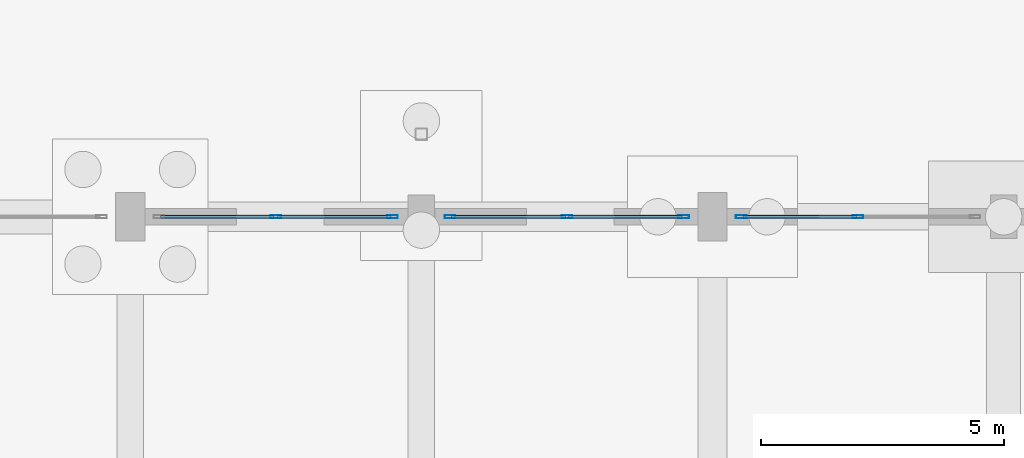
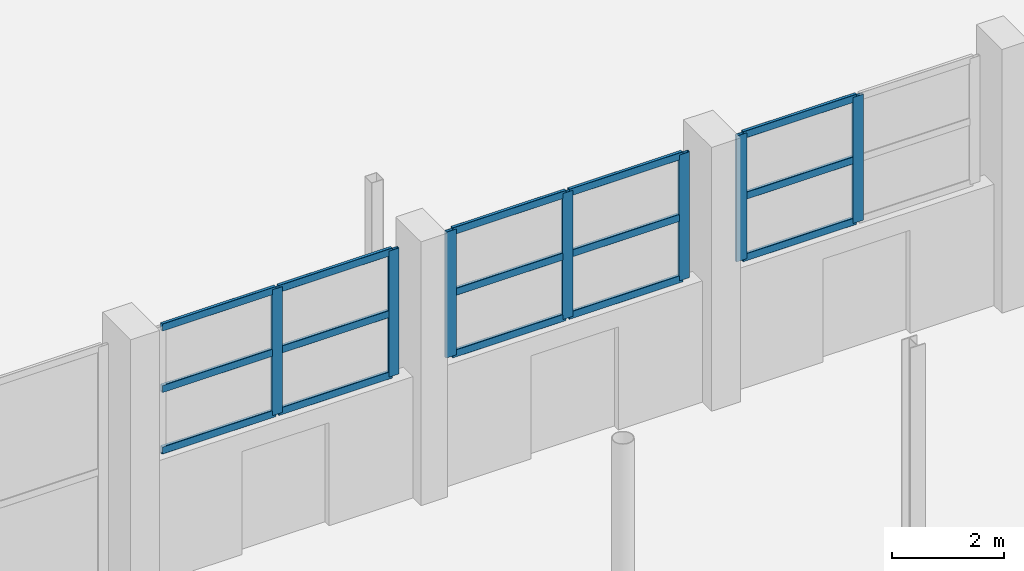
# One storey, part 52 of 103: 22 members, 3 elements without a shape of their own.
"""IFC4 building model written with IfcOpenShell, lengths in metres."""

from ifc_helpers import new_model, si_unit, direction, frame, origin, origin_2d, place, context, subcontext, project, spatial, hollow_rectangle, extrude, material, layer, layer_set, material_profile, profile_set, type_object, element, aggregate, save


model = new_model("IFC4")

# Units and contexts
model_context = context("Model", 3, precision=1e-05, world=origin(), true_north=direction((0.0, 1.0)))
body_context = subcontext(model_context, "Body", "Model", "MODEL_VIEW")
ifc_project = project(units=[si_unit("LENGTHUNIT", "METRE"), si_unit("AREAUNIT", "SQUARE_METRE"), si_unit("VOLUMEUNIT", "CUBIC_METRE"), si_unit("PLANEANGLEUNIT", "RADIAN"), si_unit("MASSUNIT", "GRAM", prefix="KILO")], contexts=[model_context])

# Site, building, storey
site_placement = place(None, origin())
site = spatial("IfcSite", under=ifc_project, at=site_placement, CompositionType="ELEMENT")
building_placement = place(site_placement, origin())
building = spatial("IfcBuilding", under=site, at=building_placement, Name="Dunvalen Ferry Terminal", CompositionType="ELEMENT")
storey_placement = place(building_placement, origin())
storey = spatial("IfcBuildingStorey", under=building, at=storey_placement, Name="L00", CompositionType="ELEMENT", Elevation=0.0)

# Curtain wall, members
ifc_material_1 = material(Name="Anodised marine aluminium and solar-control glazing", Category="aluminium")
ifc_layer = layer(ifc_material_1, 0.219970703125, Name="Anodised marine aluminium and solar-control glazing")
ifc_layer_set = layer_set([ifc_layer], Name="Anodised marine aluminium and solar-control glazing")
curtain_wall_type = type_object("IfcCurtainWallType", Name="ENV-CW-SYS-01", PredefinedType="NOTDEFINED", material=ifc_layer_set)
curtain_wall_1_placement = place(storey_placement, origin())
curtain_wall_1 = element("IfcCurtainWall", 1, at=curtain_wall_1_placement, inside=storey, type_object=curtain_wall_type, Name="L00 Curtain Wall CW-V1N-L00-07", PredefinedType="NOTDEFINED")
ifc_material_2 = material(Name="Anodised marine aluminium EN AW-6063 T6", Category="aluminium")
ifc_material_profile_1 = material_profile(ifc_material_2, hollow_rectangle(XDim=0.06494140625, YDim=0.219970703125, WallThickness=0.00390625, InnerFilletRadius=0.00390625, OuterFilletRadius=0.008056640625, at=origin_2d()), Name="Anodised marine aluminium EN AW-6063 T6")
ifc_profile_set_1 = profile_set([ifc_material_profile_1], Name="Anodised marine aluminium EN AW-6063 T6")
member_type_1 = type_object("IfcMemberType", Name="ENV-CW-MUL-1", PredefinedType="MULLION", material=ifc_profile_set_1)
member_1_placement = place(storey_placement, frame((51.0, 86.39990234375, 2.699951171875), z_axis=(0.0, 0.0, 1.0), x_axis=(0.0, 1.0, 0.0)))
member_1 = element("IfcMember", 2, at=member_1_placement, type_object=member_type_1, Name="CW-01 mullion 2", PredefinedType="MULLION", context=body_context, shape_type="SweptSolid", body=[
    extrude(hollow_rectangle(XDim=0.06494140625, YDim=0.219970703125, WallThickness=0.00390625, InnerFilletRadius=0.00390625, OuterFilletRadius=0.008056640625, at=origin_2d()), origin(), (0.0, 0.0, 1.0), 2.75),
])
member_2_placement = place(storey_placement, frame((53.407470703125, 86.39990234375, 2.699951171875), z_axis=(0.0, 0.0, 1.0), x_axis=(0.0, 1.0, 0.0)))
member_2 = element("IfcMember", 3, at=member_2_placement, type_object=member_type_1, Name="CW-01 mullion 3", PredefinedType="MULLION", context=body_context, shape_type="SweptSolid", body=[
    extrude(hollow_rectangle(XDim=0.06494140625, YDim=0.219970703125, WallThickness=0.00390625, InnerFilletRadius=0.00390625, OuterFilletRadius=0.008056640625, at=origin_2d()), origin(), (0.0, 0.0, 1.0), 2.75),
])

curtain_wall_2_placement = place(storey_placement, origin())
curtain_wall_2 = element("IfcCurtainWall", 4, at=curtain_wall_2_placement, inside=storey, type_object=curtain_wall_type, Name="L00 Curtain Wall CW-V1N-L00-08", PredefinedType="NOTDEFINED")
member_3_placement = place(storey_placement, frame((54.592529296875, 86.39990234375, 2.699951171875), z_axis=(0.0, 0.0, 1.0), x_axis=(0.0, 1.0, 0.0)))
member_3 = element("IfcMember", 5, at=member_3_placement, type_object=member_type_1, Name="CW-01 mullion 1", PredefinedType="MULLION", context=body_context, shape_type="SweptSolid", body=[
    extrude(hollow_rectangle(XDim=0.06494140625, YDim=0.219970703125, WallThickness=0.00390625, InnerFilletRadius=0.00390625, OuterFilletRadius=0.008056640625, at=origin_2d()), origin(), (0.0, 0.0, 1.0), 2.75),
])
member_4_placement = place(storey_placement, frame((57.0, 86.39990234375, 2.699951171875), z_axis=(0.0, 0.0, 1.0), x_axis=(0.0, 1.0, 0.0)))
member_4 = element("IfcMember", 6, at=member_4_placement, type_object=member_type_1, Name="CW-01 mullion 2", PredefinedType="MULLION", context=body_context, shape_type="SweptSolid", body=[
    extrude(hollow_rectangle(XDim=0.06494140625, YDim=0.219970703125, WallThickness=0.00390625, InnerFilletRadius=0.00390625, OuterFilletRadius=0.008056640625, at=origin_2d()), origin(), (0.0, 0.0, 1.0), 2.75),
])
member_5_placement = place(storey_placement, frame((59.407470703125, 86.39990234375, 2.699951171875), z_axis=(0.0, 0.0, 1.0), x_axis=(0.0, 1.0, 0.0)))
member_5 = element("IfcMember", 7, at=member_5_placement, type_object=member_type_1, Name="CW-01 mullion 3", PredefinedType="MULLION", context=body_context, shape_type="SweptSolid", body=[
    extrude(hollow_rectangle(XDim=0.06494140625, YDim=0.219970703125, WallThickness=0.00390625, InnerFilletRadius=0.00390625, OuterFilletRadius=0.008056640625, at=origin_2d()), origin(), (0.0, 0.0, 1.0), 2.75),
])

curtain_wall_3_placement = place(storey_placement, origin())
curtain_wall_3 = element("IfcCurtainWall", 8, at=curtain_wall_3_placement, inside=storey, type_object=curtain_wall_type, Name="L00 Curtain Wall CW-V1N-L00-09", PredefinedType="NOTDEFINED")
member_6_placement = place(storey_placement, frame((60.592529296875, 86.39990234375, 2.699951171875), z_axis=(0.0, 0.0, 1.0), x_axis=(0.0, 1.0, 0.0)))
member_6 = element("IfcMember", 9, at=member_6_placement, type_object=member_type_1, Name="CW-01 mullion 1", PredefinedType="MULLION", context=body_context, shape_type="SweptSolid", body=[
    extrude(hollow_rectangle(XDim=0.06494140625, YDim=0.219970703125, WallThickness=0.00390625, InnerFilletRadius=0.00390625, OuterFilletRadius=0.008056640625, at=origin_2d()), origin(), (0.0, 0.0, 1.0), 2.75),
])
member_7_placement = place(storey_placement, frame((63.0, 86.39990234375, 2.699951171875), z_axis=(0.0, 0.0, 1.0), x_axis=(0.0, 1.0, 0.0)))
member_7 = element("IfcMember", 10, at=member_7_placement, type_object=member_type_1, Name="CW-01 mullion 2", PredefinedType="MULLION", context=body_context, shape_type="SweptSolid", body=[
    extrude(hollow_rectangle(XDim=0.06494140625, YDim=0.219970703125, WallThickness=0.00390625, InnerFilletRadius=0.00390625, OuterFilletRadius=0.008056640625, at=origin_2d()), origin(), (0.0, 0.0, 1.0), 2.75),
])

# Member
ifc_material_profile_2 = material_profile(ifc_material_2, hollow_rectangle(XDim=0.06494140625, YDim=0.159912109375, WallThickness=0.00341796875, InnerFilletRadius=0.00341796875, OuterFilletRadius=0.007080078125, at=origin_2d()), Name="Anodised marine aluminium EN AW-6063 T6")
ifc_profile_set_2 = profile_set([ifc_material_profile_2], Name="Anodised marine aluminium EN AW-6063 T6")
member_type_2 = type_object("IfcMemberType", Name="ENV-CW-TRN-1", PredefinedType="USERDEFINED", material=ifc_profile_set_2)
member_8_placement = place(storey_placement, frame((48.625, 86.39990234375, 2.732421875), z_axis=(1.0, 0.0, 0.0), x_axis=(0.0, 1.0, 0.0)))
member_8 = element("IfcMember", 11, at=member_8_placement, type_object=member_type_2, Name="CW-01 transom 1.1", ObjectType="TRANSOM", PredefinedType="USERDEFINED", context=body_context, shape_type="SweptSolid", body=[
    extrude(hollow_rectangle(XDim=0.06494140625, YDim=0.159912109375, WallThickness=0.00341796875, InnerFilletRadius=0.00341796875, OuterFilletRadius=0.007080078125, at=origin_2d()), origin(), (0.0, 0.0, 1.0), 2.342529296875),
])

member_9_placement = place(storey_placement, frame((48.625, 86.39990234375, 4.074951171875), z_axis=(1.0, 0.0, 0.0), x_axis=(0.0, 1.0, 0.0)))
member_9 = element("IfcMember", 12, at=member_9_placement, type_object=member_type_2, Name="CW-01 transom 1.2", ObjectType="TRANSOM", PredefinedType="USERDEFINED", context=body_context, shape_type="SweptSolid", body=[
    extrude(hollow_rectangle(XDim=0.06494140625, YDim=0.159912109375, WallThickness=0.00341796875, InnerFilletRadius=0.00341796875, OuterFilletRadius=0.007080078125, at=origin_2d()), origin(), (0.0, 0.0, 1.0), 2.342529296875),
])

member_10_placement = place(storey_placement, frame((48.625, 86.39990234375, 5.41748046875), z_axis=(1.0, 0.0, 0.0), x_axis=(0.0, 1.0, 0.0)))
member_10 = element("IfcMember", 13, at=member_10_placement, type_object=member_type_2, Name="CW-01 transom 1.3", ObjectType="TRANSOM", PredefinedType="USERDEFINED", context=body_context, shape_type="SweptSolid", body=[
    extrude(hollow_rectangle(XDim=0.06494140625, YDim=0.159912109375, WallThickness=0.00341796875, InnerFilletRadius=0.00341796875, OuterFilletRadius=0.007080078125, at=origin_2d()), origin(), (0.0, 0.0, 1.0), 2.342529296875),
])

member_11_placement = place(storey_placement, frame((51.032470703125, 86.39990234375, 2.732421875), z_axis=(1.0, 0.0, 0.0), x_axis=(0.0, 1.0, 0.0)))
member_11 = element("IfcMember", 14, at=member_11_placement, type_object=member_type_2, Name="CW-01 transom 2.1", ObjectType="TRANSOM", PredefinedType="USERDEFINED", context=body_context, shape_type="SweptSolid", body=[
    extrude(hollow_rectangle(XDim=0.06494140625, YDim=0.159912109375, WallThickness=0.00341796875, InnerFilletRadius=0.00341796875, OuterFilletRadius=0.007080078125, at=origin_2d()), origin(), (0.0, 0.0, 1.0), 2.342529296875),
])

member_12_placement = place(storey_placement, frame((51.032470703125, 86.39990234375, 4.074951171875), z_axis=(1.0, 0.0, 0.0), x_axis=(0.0, 1.0, 0.0)))
member_12 = element("IfcMember", 15, at=member_12_placement, type_object=member_type_2, Name="CW-01 transom 2.2", ObjectType="TRANSOM", PredefinedType="USERDEFINED", context=body_context, shape_type="SweptSolid", body=[
    extrude(hollow_rectangle(XDim=0.06494140625, YDim=0.159912109375, WallThickness=0.00341796875, InnerFilletRadius=0.00341796875, OuterFilletRadius=0.007080078125, at=origin_2d()), origin(), (0.0, 0.0, 1.0), 2.342529296875),
])

member_13_placement = place(storey_placement, frame((51.032470703125, 86.39990234375, 5.41748046875), z_axis=(1.0, 0.0, 0.0), x_axis=(0.0, 1.0, 0.0)))
member_13 = element("IfcMember", 16, at=member_13_placement, type_object=member_type_2, Name="CW-01 transom 2.3", ObjectType="TRANSOM", PredefinedType="USERDEFINED", context=body_context, shape_type="SweptSolid", body=[
    extrude(hollow_rectangle(XDim=0.06494140625, YDim=0.159912109375, WallThickness=0.00341796875, InnerFilletRadius=0.00341796875, OuterFilletRadius=0.007080078125, at=origin_2d()), origin(), (0.0, 0.0, 1.0), 2.342529296875),
])

aggregate(curtain_wall_1, [member_1, member_2, member_8, member_9, member_10, member_11, member_12, member_13])

member_14_placement = place(storey_placement, frame((54.625, 86.39990234375, 2.732421875), z_axis=(1.0, 0.0, 0.0), x_axis=(0.0, 1.0, 0.0)))
member_14 = element("IfcMember", 17, at=member_14_placement, type_object=member_type_2, Name="CW-01 transom 1.1", ObjectType="TRANSOM", PredefinedType="USERDEFINED", context=body_context, shape_type="SweptSolid", body=[
    extrude(hollow_rectangle(XDim=0.06494140625, YDim=0.159912109375, WallThickness=0.00341796875, InnerFilletRadius=0.00341796875, OuterFilletRadius=0.007080078125, at=origin_2d()), origin(), (0.0, 0.0, 1.0), 2.342529296875),
])

member_15_placement = place(storey_placement, frame((54.625, 86.39990234375, 4.074951171875), z_axis=(1.0, 0.0, 0.0), x_axis=(0.0, 1.0, 0.0)))
member_15 = element("IfcMember", 18, at=member_15_placement, type_object=member_type_2, Name="CW-01 transom 1.2", ObjectType="TRANSOM", PredefinedType="USERDEFINED", context=body_context, shape_type="SweptSolid", body=[
    extrude(hollow_rectangle(XDim=0.06494140625, YDim=0.159912109375, WallThickness=0.00341796875, InnerFilletRadius=0.00341796875, OuterFilletRadius=0.007080078125, at=origin_2d()), origin(), (0.0, 0.0, 1.0), 2.342529296875),
])

member_16_placement = place(storey_placement, frame((54.625, 86.39990234375, 5.41748046875), z_axis=(1.0, 0.0, 0.0), x_axis=(0.0, 1.0, 0.0)))
member_16 = element("IfcMember", 19, at=member_16_placement, type_object=member_type_2, Name="CW-01 transom 1.3", ObjectType="TRANSOM", PredefinedType="USERDEFINED", context=body_context, shape_type="SweptSolid", body=[
    extrude(hollow_rectangle(XDim=0.06494140625, YDim=0.159912109375, WallThickness=0.00341796875, InnerFilletRadius=0.00341796875, OuterFilletRadius=0.007080078125, at=origin_2d()), origin(), (0.0, 0.0, 1.0), 2.342529296875),
])

member_17_placement = place(storey_placement, frame((57.032470703125, 86.39990234375, 2.732421875), z_axis=(1.0, 0.0, 0.0), x_axis=(0.0, 1.0, 0.0)))
member_17 = element("IfcMember", 20, at=member_17_placement, type_object=member_type_2, Name="CW-01 transom 2.1", ObjectType="TRANSOM", PredefinedType="USERDEFINED", context=body_context, shape_type="SweptSolid", body=[
    extrude(hollow_rectangle(XDim=0.06494140625, YDim=0.159912109375, WallThickness=0.00341796875, InnerFilletRadius=0.00341796875, OuterFilletRadius=0.007080078125, at=origin_2d()), origin(), (0.0, 0.0, 1.0), 2.342529296875),
])

member_18_placement = place(storey_placement, frame((57.032470703125, 86.39990234375, 4.074951171875), z_axis=(1.0, 0.0, 0.0), x_axis=(0.0, 1.0, 0.0)))
member_18 = element("IfcMember", 21, at=member_18_placement, type_object=member_type_2, Name="CW-01 transom 2.2", ObjectType="TRANSOM", PredefinedType="USERDEFINED", context=body_context, shape_type="SweptSolid", body=[
    extrude(hollow_rectangle(XDim=0.06494140625, YDim=0.159912109375, WallThickness=0.00341796875, InnerFilletRadius=0.00341796875, OuterFilletRadius=0.007080078125, at=origin_2d()), origin(), (0.0, 0.0, 1.0), 2.342529296875),
])

member_19_placement = place(storey_placement, frame((57.032470703125, 86.39990234375, 5.41748046875), z_axis=(1.0, 0.0, 0.0), x_axis=(0.0, 1.0, 0.0)))
member_19 = element("IfcMember", 22, at=member_19_placement, type_object=member_type_2, Name="CW-01 transom 2.3", ObjectType="TRANSOM", PredefinedType="USERDEFINED", context=body_context, shape_type="SweptSolid", body=[
    extrude(hollow_rectangle(XDim=0.06494140625, YDim=0.159912109375, WallThickness=0.00341796875, InnerFilletRadius=0.00341796875, OuterFilletRadius=0.007080078125, at=origin_2d()), origin(), (0.0, 0.0, 1.0), 2.342529296875),
])

aggregate(curtain_wall_2, [member_3, member_4, member_5, member_14, member_15, member_16, member_17, member_18, member_19])

member_20_placement = place(storey_placement, frame((60.625, 86.39990234375, 2.732421875), z_axis=(1.0, 0.0, 0.0), x_axis=(0.0, 1.0, 0.0)))
member_20 = element("IfcMember", 23, at=member_20_placement, type_object=member_type_2, Name="CW-01 transom 1.1", ObjectType="TRANSOM", PredefinedType="USERDEFINED", context=body_context, shape_type="SweptSolid", body=[
    extrude(hollow_rectangle(XDim=0.06494140625, YDim=0.159912109375, WallThickness=0.00341796875, InnerFilletRadius=0.00341796875, OuterFilletRadius=0.007080078125, at=origin_2d()), origin(), (0.0, 0.0, 1.0), 2.342529296875),
])

member_21_placement = place(storey_placement, frame((60.625, 86.39990234375, 4.074951171875), z_axis=(1.0, 0.0, 0.0), x_axis=(0.0, 1.0, 0.0)))
member_21 = element("IfcMember", 24, at=member_21_placement, type_object=member_type_2, Name="CW-01 transom 1.2", ObjectType="TRANSOM", PredefinedType="USERDEFINED", context=body_context, shape_type="SweptSolid", body=[
    extrude(hollow_rectangle(XDim=0.06494140625, YDim=0.159912109375, WallThickness=0.00341796875, InnerFilletRadius=0.00341796875, OuterFilletRadius=0.007080078125, at=origin_2d()), origin(), (0.0, 0.0, 1.0), 2.342529296875),
])

member_22_placement = place(storey_placement, frame((60.625, 86.39990234375, 5.41748046875), z_axis=(1.0, 0.0, 0.0), x_axis=(0.0, 1.0, 0.0)))
member_22 = element("IfcMember", 25, at=member_22_placement, type_object=member_type_2, Name="CW-01 transom 1.3", ObjectType="TRANSOM", PredefinedType="USERDEFINED", context=body_context, shape_type="SweptSolid", body=[
    extrude(hollow_rectangle(XDim=0.06494140625, YDim=0.159912109375, WallThickness=0.00341796875, InnerFilletRadius=0.00341796875, OuterFilletRadius=0.007080078125, at=origin_2d()), origin(), (0.0, 0.0, 1.0), 2.342529296875),
])

aggregate(curtain_wall_3, [member_6, member_7, member_20, member_21, member_22])

save(model, "model.ifc")
